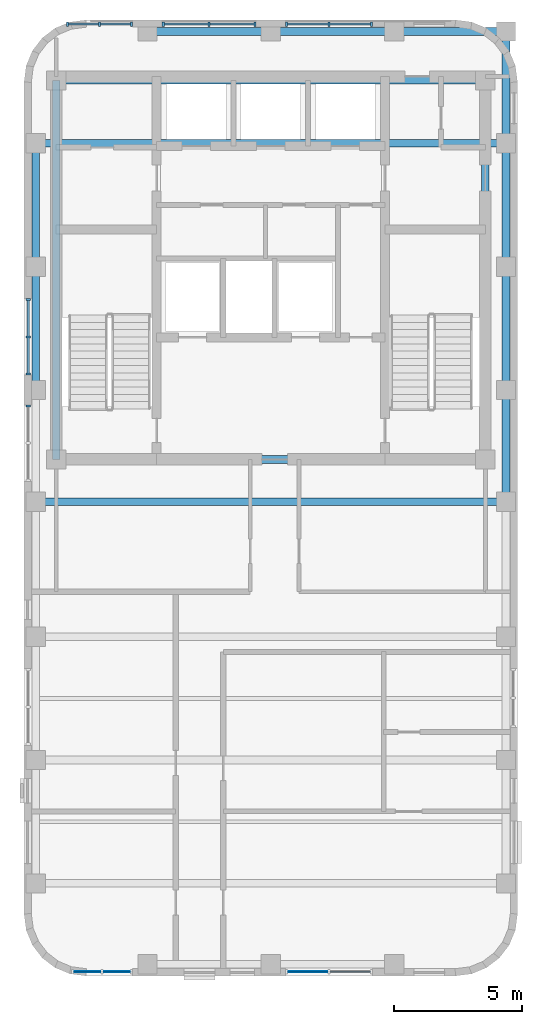
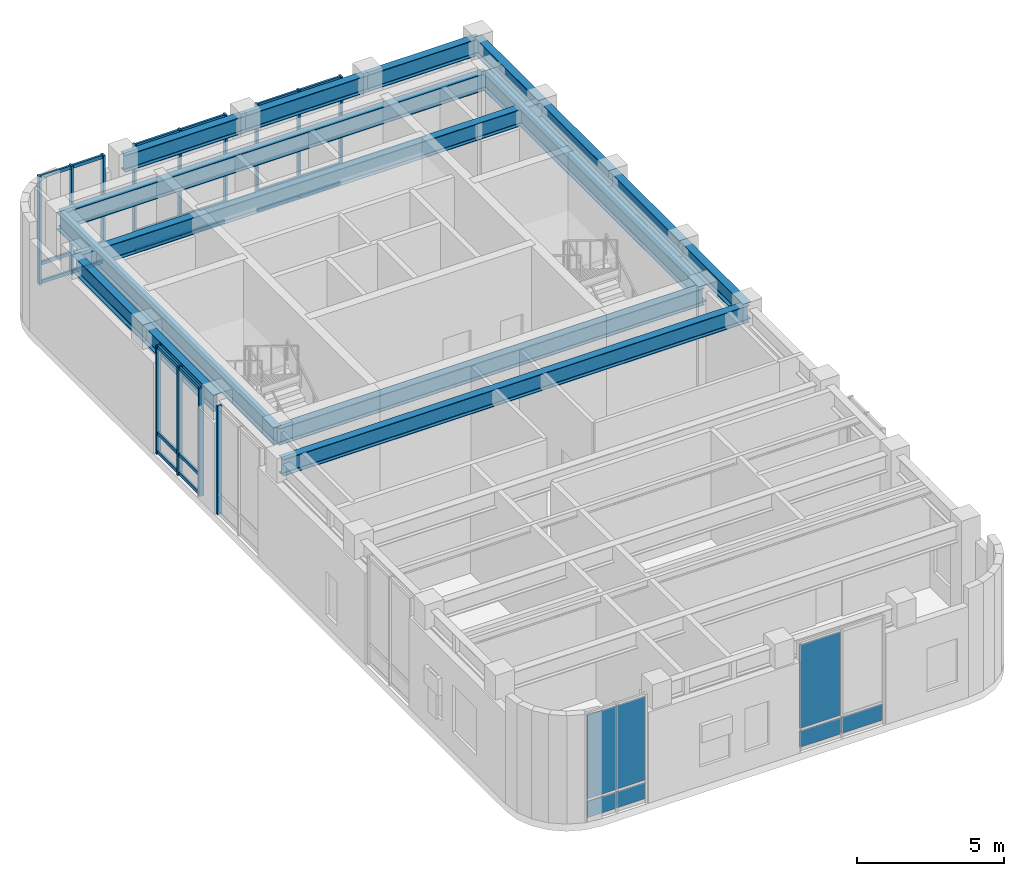
# One storey, part 2 of 8: 37 members, 15 beams, 7 plates, 7 elements without a shape of their own.
"""IFC4 building model written with IfcOpenShell, lengths in metres."""

import ifcopenshell
import ifcopenshell.guid

model = None  # the IFC model being written
_history = None  # IfcOwnerHistory: only IFC2X3 demands one
_inside = {}  # id of a spatial element -> (the spatial element, [elements in it])
_under = {}  # id of a project, library or spatial element -> (it, [spatial elements below it])
_declared = {}  # id of a project -> (the project, [libraries it declares])
_typed = {}  # id of a type object -> (the type object, [elements of that type])
_made_of = {}  # id of a material, layer set ... -> (it, [elements and type objects made of it])


def new_model(schema):
    """Start an empty IFC model of exactly this schema.

    Asked for "IFC4X3", IfcOpenShell would pick the latest addendum, in which some entities
    have other attributes; the version numbers below select the first issue.
    IFC2X3 requires an IfcOwnerHistory on every rooted entity: one is made here for all.
    """
    global model, _history
    if schema == "IFC4X3":
        model = ifcopenshell.file(schema_version=(4, 3, 0, 0))
    else:
        model = ifcopenshell.file(schema=schema)
    _inside.clear()
    _under.clear()
    _declared.clear()
    _typed.clear()
    _made_of.clear()
    _history = None
    if model.schema == "IFC2X3":
        org = make("IfcOrganization", Name="unknown")
        user = make(
            "IfcPersonAndOrganization",
            ThePerson=make("IfcPerson", FamilyName="unknown"),
            TheOrganization=org,
        )
        app = make(
            "IfcApplication",
            ApplicationDeveloper=org,
            Version="unknown",
            ApplicationFullName="unknown",
            ApplicationIdentifier="unknown",
        )
        _history = make(
            "IfcOwnerHistory",
            OwningUser=user,
            OwningApplication=app,
            ChangeAction="ADDED",
            CreationDate=0,
        )
    return model


def make(cls, **values):
    """One entity of the class cls with the attributes given. An attribute that is None is left unset."""
    return model.create_entity(
        cls, **{name: value for name, value in values.items() if value is not None}
    )


def rooted(cls, **values):
    """An entity with a GlobalId (a new one), such as an element, a storey or a relation."""
    return make(cls, GlobalId=ifcopenshell.guid.new(), OwnerHistory=_history, **values)


def si_unit(unit_type, name, prefix=None):
    """IfcSIUnit, for example si_unit("LENGTHUNIT", "METRE", prefix="MILLI")."""
    return make("IfcSIUnit", UnitType=unit_type, Prefix=prefix, Name=name)


def assignment(units):
    """IfcUnitAssignment: the units of a project."""
    return None if units is None else make("IfcUnitAssignment", Units=units)


def point(xyz):
    """IfcCartesianPoint."""
    return None if xyz is None else make("IfcCartesianPoint", Coordinates=xyz)


def direction(xyz):
    """IfcDirection."""
    return None if xyz is None else make("IfcDirection", DirectionRatios=xyz)


def frame(location, z_axis=None, x_axis=None):
    """IfcAxis2Placement3D, a coordinate frame: its origin and axes. An axis left out is left unset."""
    return make(
        "IfcAxis2Placement3D",
        Location=point(location),
        Axis=direction(z_axis),
        RefDirection=direction(x_axis),
    )


def frame_2d(location, x_axis=None):
    """IfcAxis2Placement2D, a coordinate frame in the plane: its origin and x axis."""
    return make(
        "IfcAxis2Placement2D", Location=point(location), RefDirection=direction(x_axis)
    )


def origin():
    """The frame at (0, 0, 0) with its axes left unset."""
    return frame((0.0, 0.0, 0.0))


def origin_2d():
    """The frame at (0, 0) in the plane with its x axis left unset."""
    return frame_2d((0.0, 0.0))


def place(relative_to, where):
    """IfcLocalPlacement: puts the frame where relative to a parent placement (None: the world)."""
    return make(
        "IfcLocalPlacement", PlacementRelTo=relative_to, RelativePlacement=where
    )


def context(
    kind, dimensions, precision=None, world=None, true_north=None, identifier=None
):
    """IfcGeometricRepresentationContext, for example the 3D "Model" context."""
    return make(
        "IfcGeometricRepresentationContext",
        ContextIdentifier=identifier,
        ContextType=kind,
        CoordinateSpaceDimension=dimensions,
        Precision=precision,
        WorldCoordinateSystem=world,
        TrueNorth=true_north,
    )


def subcontext(parent, identifier, kind, view, scale=None):
    """IfcGeometricRepresentationSubContext, for example "Body" below "Model"."""
    return make(
        "IfcGeometricRepresentationSubContext",
        ContextIdentifier=identifier,
        ContextType=kind,
        ParentContext=parent,
        TargetScale=scale,
        TargetView=view,
    )


def project(units=None, contexts=None):
    """IfcProject with its units and contexts."""
    return rooted(
        "IfcProject",
        Name="project",
        RepresentationContexts=contexts,
        UnitsInContext=assignment(units),
    )


def spatial(cls, under=None, at=None, **own):
    """A site, building, storey or space (cls), placed at a placement, below another one or the project."""
    s = rooted(cls, ObjectPlacement=at, **own)
    if under is not None:
        _under.setdefault(under.id(), (under, []))[1].append(s)
    return s


def profile(cls, at=None, kind="AREA", **sizes):
    """A parametric profile (cls). Its sizes go by their IFC names, for example OverallWidth=200.0."""
    return make(cls, ProfileType=kind, Position=at, **sizes)


def rectangle(**sizes):
    """IfcRectangleProfileDef."""
    return profile("IfcRectangleProfileDef", **sizes)


def i_section(**sizes):
    """IfcIShapeProfileDef."""
    return profile("IfcIShapeProfileDef", **sizes)


def extrude(swept, where, along, depth):
    """IfcExtrudedAreaSolid: the profile swept, set in the frame where, extruded along a direction by depth."""
    return make(
        "IfcExtrudedAreaSolid",
        SweptArea=swept,
        Position=where,
        ExtrudedDirection=direction(along),
        Depth=depth,
    )


def shape(context_of_items, identifier, shape_type, items):
    """IfcShapeRepresentation: the items that make up one representation, for example the "Body"."""
    return make(
        "IfcShapeRepresentation",
        ContextOfItems=context_of_items,
        RepresentationIdentifier=identifier,
        RepresentationType=shape_type,
        Items=items,
    )


def material(Name=None, Category=None):
    """IfcMaterial."""
    return make("IfcMaterial", Name=Name, Category=Category)


def layer(
    of_material, thickness, ventilated=None, Name=None, Category=None, Priority=None
):
    """IfcMaterialLayer: one layer of a wall or slab, of a material (None: an air gap)."""
    return make(
        "IfcMaterialLayer",
        Material=of_material,
        LayerThickness=thickness,
        IsVentilated=ventilated,
        Name=Name,
        Category=Category,
        Priority=Priority,
    )


def layer_set(layers, Name=None):
    """IfcMaterialLayerSet."""
    return make("IfcMaterialLayerSet", MaterialLayers=layers, LayerSetName=Name)


def material_profile(
    of_material, cross_section, Name=None, Category=None, Priority=None
):
    """IfcMaterialProfile: a cross section and its material."""
    return make(
        "IfcMaterialProfile",
        Name=Name,
        Material=of_material,
        Profile=cross_section,
        Priority=Priority,
        Category=Category,
    )


def profile_set(profiles, Name=None, composite=None):
    """IfcMaterialProfileSet."""
    return make(
        "IfcMaterialProfileSet",
        Name=Name,
        MaterialProfiles=profiles,
        CompositeProfile=composite,
    )


def made_of(thing, what):
    """Note that an element or type object is made of a material, layer set ...; save() writes the relation."""
    if what is not None:
        _made_of.setdefault(what.id(), (what, []))[1].append(thing)
    return thing


def type_object(cls, material=None, **own):
    """A type object (cls), such as IfcWallType, which elements share."""
    return made_of(rooted(cls, **own), material)


def element(
    cls,
    number,
    at=None,
    inside=None,
    cuts=None,
    type_object=None,
    material=None,
    context=None,
    identifier="Body",
    shape_type=None,
    held_by="IfcProductDefinitionShape",
    body=None,
    shapes=None,
    **own,
):
    """One element of the class cls, such as IfcWall. Its Tag is "e" and its number.

    at: its placement. inside: the storey or other place that contains it. cuts: it is an
    opening in that element (IfcRelVoidsElement). A single representation is given by context,
    identifier, shape_type and body (its items); several are given by shapes. held_by: the class
    of the entity that holds the representations. save() writes the other relations.
    """
    e = rooted(cls, Tag="e%d" % number, ObjectPlacement=at, **own)
    if body is not None:
        shapes = [shape(context, identifier, shape_type, body)]
    if shapes is not None:
        e.Representation = make(held_by, Representations=shapes)
    if inside is not None:
        _inside.setdefault(inside.id(), (inside, []))[1].append(e)
    if cuts is not None:
        rooted(
            "IfcRelVoidsElement", RelatingBuildingElement=cuts, RelatedOpeningElement=e
        )
    if type_object is not None:
        _typed.setdefault(type_object.id(), (type_object, []))[1].append(e)
    return made_of(e, material)


def aggregate(whole, parts):
    """IfcRelAggregates: a whole, such as a stair, and the parts it consists of."""
    return rooted("IfcRelAggregates", RelatingObject=whole, RelatedObjects=parts)


def save(model, path):
    """Write the relations noted so far, then the file.

    IfcRelAggregates (storeys below a building ...), IfcRelContainedInSpatialStructure (elements
    in a storey), IfcRelDefinesByType, IfcRelAssociatesMaterial and IfcRelDeclares: one each for
    every whole, place, type object, material and project.
    """
    for whole, parts in _under.values():
        aggregate(whole, parts)
    for where, things in _inside.values():
        rooted(
            "IfcRelContainedInSpatialStructure",
            RelatedElements=things,
            RelatingStructure=where,
        )
    for kind, things in _typed.values():
        rooted("IfcRelDefinesByType", RelatedObjects=things, RelatingType=kind)
    for what, things in _made_of.values():
        rooted("IfcRelAssociatesMaterial", RelatedObjects=things, RelatingMaterial=what)
    for by, libraries in _declared.values():
        rooted("IfcRelDeclares", RelatingContext=by, RelatedDefinitions=libraries)
    model.write(path)


model = new_model("IFC4")

# Units and contexts
model_context = context("Model", 3, precision=1e-05, world=origin(), true_north=direction((0.0, 1.0)))
body_context = subcontext(model_context, "Body", "Model", "MODEL_VIEW")
ifc_project = project(units=[si_unit("LENGTHUNIT", "METRE"), si_unit("AREAUNIT", "SQUARE_METRE"), si_unit("VOLUMEUNIT", "CUBIC_METRE"), si_unit("PLANEANGLEUNIT", "RADIAN"), si_unit("MASSUNIT", "GRAM", prefix="KILO")], contexts=[model_context])

# Site, building, storey
site_placement = place(None, origin())
site = spatial("IfcSite", under=ifc_project, at=site_placement, CompositionType="ELEMENT")
building_placement = place(site_placement, origin())
building = spatial("IfcBuilding", under=site, at=building_placement, Name="Orvandelia Arch Residences", CompositionType="ELEMENT")
storey_placement = place(building_placement, frame((0.0, 0.0, 291.39990234375)))
storey = spatial("IfcBuildingStorey", under=building, at=storey_placement, Name="L75", CompositionType="ELEMENT", Elevation=291.39990234375)

# Beams
ifc_material_1 = material(Name="Structural Steel SM355 (355 MPa)", Category="steel")
ifc_material_profile_1 = material_profile(ifc_material_1, i_section(OverallWidth=0.300048828125, OverallDepth=0.699951171875, WebThickness=0.012939453125, FlangeThickness=0.02392578125, FilletRadius=0.02392578125, at=origin_2d()), Name="Structural Steel SM355 (355 MPa)", Category="steel")
ifc_profile_set_1 = profile_set([ifc_material_profile_1], Name="Structural Steel SM355 (355 MPa)")
beam_type = type_object("IfcBeamType", Name="BM-GRD-H700", PredefinedType="BEAM", material=ifc_profile_set_1)
beam_1_placement = place(storey_placement, frame((5.25, 33.60009765625, 4.150146484375), z_axis=(0.0, 1.0, 0.0), x_axis=(-1.0, 0.0, 0.0)))
element("IfcBeam", 1, at=beam_1_placement, inside=storey, type_object=beam_type, Name="Structural Frame Beam L75-NS-005", PredefinedType="BEAM", context=body_context, shape_type="SweptSolid", body=[
    extrude(i_section(OverallWidth=0.300048828125, OverallDepth=0.699951171875, WebThickness=0.012939453125, FlangeThickness=0.02392578125, FilletRadius=0.02392578125, at=origin_2d()), origin(), (0.0, 0.0, 1.0), 4.7998046875),
])
beam_2_placement = place(storey_placement, frame((5.25, 38.39990234375, 4.150146484375), z_axis=(0.0, 1.0, 0.0), x_axis=(-1.0, 0.0, 0.0)))
element("IfcBeam", 2, at=beam_2_placement, inside=storey, type_object=beam_type, Name="Structural Frame Beam L75-NS-006", PredefinedType="BEAM", context=body_context, shape_type="SweptSolid", body=[
    extrude(i_section(OverallWidth=0.300048828125, OverallDepth=0.699951171875, WebThickness=0.012939453125, FlangeThickness=0.02392578125, FilletRadius=0.02392578125, at=origin_2d()), origin(), (0.0, 0.0, 1.0), 4.800048828125),
])
for number, where, z_axis, x_axis, name in (
    (3, (6.050048828125, 30.89990234375, 4.150146484375), (0.0, 1.0, 0.0), (-1.0, 0.0, 0.0), "Structural Frame Beam L75-NS-007"),
    (4, (22.75, 30.89990234375, 4.150146484375), (0.0, 1.0, 0.0), (-1.0, 0.0, 0.0), "Structural Frame Beam L75-NS-008"),
):
    element("IfcBeam", number, at=place(storey_placement, frame(where, z_axis=z_axis, x_axis=x_axis)), inside=storey, type_object=beam_type, Name=name, PredefinedType="BEAM", context=body_context, shape_type="SweptSolid", body=[
        extrude(i_section(OverallWidth=0.300048828125, OverallDepth=0.699951171875, WebThickness=0.012939453125, FlangeThickness=0.02392578125, FilletRadius=0.02392578125, at=origin_2d()), origin(), (0.0, 0.0, 1.0), 14.75),
    ])
beam_3_placement = place(storey_placement, frame((23.550048828125, 29.25, 4.150146484375), z_axis=(0.0, 1.0, 0.0), x_axis=(-1.0, 0.0, 0.0)))
element("IfcBeam", 5, at=beam_3_placement, inside=storey, type_object=beam_type, Name="Structural Frame Beam L75-NS-012", PredefinedType="BEAM", context=body_context, shape_type="SweptSolid", body=[
    extrude(i_section(OverallWidth=0.300048828125, OverallDepth=0.699951171875, WebThickness=0.012939453125, FlangeThickness=0.02392578125, FilletRadius=0.02392578125, at=origin_2d()), origin(), (0.0, 0.0, 1.0), 4.35009765625),
])
beam_4_placement = place(storey_placement, frame((23.550048828125, 33.60009765625, 4.150146484375), z_axis=(0.0, 1.0, 0.0), x_axis=(-1.0, 0.0, 0.0)))
element("IfcBeam", 6, at=beam_4_placement, inside=storey, type_object=beam_type, Name="Structural Frame Beam L75-NS-013", PredefinedType="BEAM", context=body_context, shape_type="SweptSolid", body=[
    extrude(i_section(OverallWidth=0.300048828125, OverallDepth=0.699951171875, WebThickness=0.012939453125, FlangeThickness=0.02392578125, FilletRadius=0.02392578125, at=origin_2d()), origin(), (0.0, 0.0, 1.0), 4.7998046875),
])
beam_5_placement = place(storey_placement, frame((23.550048828125, 38.39990234375, 4.150146484375), z_axis=(0.0, 1.0, 0.0), x_axis=(-1.0, 0.0, 0.0)))
element("IfcBeam", 7, at=beam_5_placement, inside=storey, type_object=beam_type, Name="Structural Frame Beam L75-NS-014", PredefinedType="BEAM", context=body_context, shape_type="SweptSolid", body=[
    extrude(i_section(OverallWidth=0.300048828125, OverallDepth=0.699951171875, WebThickness=0.012939453125, FlangeThickness=0.02392578125, FilletRadius=0.02392578125, at=origin_2d()), origin(), (0.0, 0.0, 1.0), 4.800048828125),
])
beam_6_placement = place(storey_placement, frame((23.550048828125, 43.199951171875, 4.150146484375), z_axis=(0.0, 1.0, 0.0), x_axis=(-1.0, 0.0, 0.0)))
element("IfcBeam", 8, at=beam_6_placement, inside=storey, type_object=beam_type, Name="Structural Frame Beam L75-NS-015", PredefinedType="BEAM", context=body_context, shape_type="SweptSolid", body=[
    extrude(i_section(OverallWidth=0.300048828125, OverallDepth=0.699951171875, WebThickness=0.012939453125, FlangeThickness=0.02392578125, FilletRadius=0.02392578125, at=origin_2d()), origin(), (0.0, 0.0, 1.0), 4.35009765625),
])
beam_7_placement = place(storey_placement, frame((5.25, 29.25, 4.150146484375), z_axis=(1.0, 0.0, 0.0), x_axis=(0.0, 1.0, 0.0)))
element("IfcBeam", 9, at=beam_7_placement, inside=storey, type_object=beam_type, Name="Structural Frame Girder L75-EW-021", PredefinedType="BEAM", context=body_context, shape_type="SweptSolid", body=[
    extrude(i_section(OverallWidth=0.300048828125, OverallDepth=0.699951171875, WebThickness=0.012939453125, FlangeThickness=0.02392578125, FilletRadius=0.02392578125, at=origin_2d()), origin(), (0.0, 0.0, 1.0), 18.300048828125),
])
beam_8_placement = place(storey_placement, frame((6.050048828125, 30.89990234375, 4.150146484375), z_axis=(1.0, 0.0, 0.0), x_axis=(0.0, 1.0, 0.0)))
element("IfcBeam", 10, at=beam_8_placement, inside=storey, type_object=beam_type, Name="Structural Frame Girder L75-EW-022", PredefinedType="BEAM", context=body_context, shape_type="SweptSolid", body=[
    extrude(i_section(OverallWidth=0.300048828125, OverallDepth=0.699951171875, WebThickness=0.012939453125, FlangeThickness=0.02392578125, FilletRadius=0.02392578125, at=origin_2d()), origin(), (0.0, 0.0, 1.0), 16.699951171875),
])
beam_9_placement = place(storey_placement, frame((5.25, 43.199951171875, 4.150146484375), z_axis=(1.0, 0.0, 0.0), x_axis=(0.0, 1.0, 0.0)))
element("IfcBeam", 11, at=beam_9_placement, inside=storey, type_object=beam_type, Name="Structural Frame Girder L75-EW-025", PredefinedType="BEAM", context=body_context, shape_type="SweptSolid", body=[
    extrude(i_section(OverallWidth=0.300048828125, OverallDepth=0.699951171875, WebThickness=0.012939453125, FlangeThickness=0.02392578125, FilletRadius=0.02392578125, at=origin_2d()), origin(), (0.0, 0.0, 1.0), 18.300048828125),
])
beam_10_placement = place(storey_placement, frame((6.050048828125, 45.64990234375, 4.150146484375), z_axis=(1.0, 0.0, 0.0), x_axis=(0.0, 1.0, 0.0)))
element("IfcBeam", 12, at=beam_10_placement, inside=storey, type_object=beam_type, Name="Structural Frame Girder L75-EW-026", PredefinedType="BEAM", context=body_context, shape_type="SweptSolid", body=[
    extrude(i_section(OverallWidth=0.300048828125, OverallDepth=0.699951171875, WebThickness=0.012939453125, FlangeThickness=0.02392578125, FilletRadius=0.02392578125, at=origin_2d()), origin(), (0.0, 0.0, 1.0), 16.699951171875),
])
beam_11_placement = place(storey_placement, frame((9.60009765625, 47.550048828125, 4.150146484375), z_axis=(1.0, 0.0, 0.0), x_axis=(0.0, 1.0, 0.0)))
element("IfcBeam", 13, at=beam_11_placement, inside=storey, type_object=beam_type, Name="Structural Frame Girder L75-EW-027", PredefinedType="BEAM", context=body_context, shape_type="SweptSolid", body=[
    extrude(i_section(OverallWidth=0.300048828125, OverallDepth=0.699951171875, WebThickness=0.012939453125, FlangeThickness=0.02392578125, FilletRadius=0.02392578125, at=origin_2d()), origin(), (0.0, 0.0, 1.0), 4.7998046875),
])
beam_12_placement = place(storey_placement, frame((14.39990234375, 47.550048828125, 4.150146484375), z_axis=(1.0, 0.0, 0.0), x_axis=(0.0, 1.0, 0.0)))
element("IfcBeam", 14, at=beam_12_placement, inside=storey, type_object=beam_type, Name="Structural Frame Girder L75-EW-028", PredefinedType="BEAM", context=body_context, shape_type="SweptSolid", body=[
    extrude(i_section(OverallWidth=0.300048828125, OverallDepth=0.699951171875, WebThickness=0.012939453125, FlangeThickness=0.02392578125, FilletRadius=0.02392578125, at=origin_2d()), origin(), (0.0, 0.0, 1.0), 4.800048828125),
])
beam_13_placement = place(storey_placement, frame((19.199951171875, 47.550048828125, 4.150146484375), z_axis=(1.0, 0.0, 0.0), x_axis=(0.0, 1.0, 0.0)))
element("IfcBeam", 15, at=beam_13_placement, inside=storey, type_object=beam_type, Name="Structural Frame Girder L75-EW-029", PredefinedType="BEAM", context=body_context, shape_type="SweptSolid", body=[
    extrude(i_section(OverallWidth=0.300048828125, OverallDepth=0.699951171875, WebThickness=0.012939453125, FlangeThickness=0.02392578125, FilletRadius=0.02392578125, at=origin_2d()), origin(), (0.0, 0.0, 1.0), 4.35009765625),
])

# Curtain wall, members
ifc_material_2 = material(Name="Anodised Bronze Curtain Wall Assembly")
curtain_wall_type = type_object("IfcCurtainWallType", Name="CW-SYS6-OBSERV", PredefinedType="NOTDEFINED", material=ifc_material_2)
curtain_wall_1_placement = place(storey_placement, origin())
curtain_wall_1 = element("IfcCurtainWall", 16, at=curtain_wall_1_placement, inside=storey, type_object=curtain_wall_type, Name="Observatory North Curtain Wall 5", PredefinedType="NOTDEFINED")
ifc_material_3 = material(Name="Anodised Aluminium Alloy 6063-T6", Category="aluminium")
ifc_material_profile_2 = material_profile(ifc_material_3, rectangle(XDim=0.080078125, YDim=0.179931640625, at=origin_2d()), Name="Anodised Aluminium Alloy 6063-T6", Category="aluminium")
ifc_profile_set_2 = profile_set([ifc_material_profile_2], Name="Anodised Aluminium Alloy 6063-T6")
member_type_1 = type_object("IfcMemberType", Name="CW-MULLION-80x160", PredefinedType="MULLION", material=ifc_profile_set_2)
member_1_placement = place(storey_placement, frame((6.47998046875, 47.840087890625, 0.0), z_axis=(0.0, 0.0, 1.0), x_axis=(1.0, 0.0, 0.0)))
member_1 = element("IfcMember", 17, at=member_1_placement, type_object=member_type_1, Name="Curtain Wall Mullion CW-L75-5-M1", PredefinedType="MULLION", context=body_context, shape_type="SweptSolid", body=[
    extrude(rectangle(XDim=0.080078125, YDim=0.179931640625, at=origin_2d()), origin(), (0.0, 0.0, 1.0), 4.5),
])
member_2_placement = place(storey_placement, frame((7.732421875, 47.840087890625, 0.0), z_axis=(0.0, 0.0, 1.0), x_axis=(1.0, 0.0, 0.0)))
member_2 = element("IfcMember", 18, at=member_2_placement, type_object=member_type_1, Name="Curtain Wall Mullion CW-L75-5-M2", PredefinedType="MULLION", context=body_context, shape_type="SweptSolid", body=[
    extrude(rectangle(XDim=0.080078125, YDim=0.179931640625, at=origin_2d()), origin(), (0.0, 0.0, 1.0), 4.5),
])
member_3_placement = place(storey_placement, frame((8.985107421875, 47.840087890625, 0.0), z_axis=(0.0, 0.0, 1.0), x_axis=(1.0, 0.0, 0.0)))
member_3 = element("IfcMember", 19, at=member_3_placement, type_object=member_type_1, Name="Curtain Wall Mullion CW-L75-5-M3", PredefinedType="MULLION", context=body_context, shape_type="SweptSolid", body=[
    extrude(rectangle(XDim=0.080078125, YDim=0.179931640625, at=origin_2d()), origin(), (0.0, 0.0, 1.0), 4.5),
])

curtain_wall_2_placement = place(storey_placement, origin())
curtain_wall_2 = element("IfcCurtainWall", 20, at=curtain_wall_2_placement, inside=storey, type_object=curtain_wall_type, Name="Observatory North Curtain Wall 6", PredefinedType="NOTDEFINED")
member_4_placement = place(storey_placement, frame((10.215087890625, 47.840087890625, 0.0), z_axis=(0.0, 0.0, 1.0), x_axis=(1.0, 0.0, 0.0)))
member_4 = element("IfcMember", 21, at=member_4_placement, type_object=member_type_1, Name="Curtain Wall Mullion CW-L75-6-M1", PredefinedType="MULLION", context=body_context, shape_type="SweptSolid", body=[
    extrude(rectangle(XDim=0.080078125, YDim=0.179931640625, at=origin_2d()), origin(), (0.0, 0.0, 1.0), 4.5),
])
member_5_placement = place(storey_placement, frame((12.0, 47.840087890625, 0.0), z_axis=(0.0, 0.0, 1.0), x_axis=(1.0, 0.0, 0.0)))
member_5 = element("IfcMember", 22, at=member_5_placement, type_object=member_type_1, Name="Curtain Wall Mullion CW-L75-6-M2", PredefinedType="MULLION", context=body_context, shape_type="SweptSolid", body=[
    extrude(rectangle(XDim=0.080078125, YDim=0.179931640625, at=origin_2d()), origin(), (0.0, 0.0, 1.0), 4.5),
])
member_6_placement = place(storey_placement, frame((13.784912109375, 47.840087890625, 0.0), z_axis=(0.0, 0.0, 1.0), x_axis=(1.0, 0.0, 0.0)))
member_6 = element("IfcMember", 23, at=member_6_placement, type_object=member_type_1, Name="Curtain Wall Mullion CW-L75-6-M3", PredefinedType="MULLION", context=body_context, shape_type="SweptSolid", body=[
    extrude(rectangle(XDim=0.080078125, YDim=0.179931640625, at=origin_2d()), origin(), (0.0, 0.0, 1.0), 4.5),
])

curtain_wall_3_placement = place(storey_placement, origin())
curtain_wall_3 = element("IfcCurtainWall", 24, at=curtain_wall_3_placement, inside=storey, type_object=curtain_wall_type, Name="Observatory North Curtain Wall 7", PredefinedType="NOTDEFINED")
member_7_placement = place(storey_placement, frame((15.014892578125, 47.840087890625, 0.0), z_axis=(0.0, 0.0, 1.0), x_axis=(1.0, 0.0, 0.0)))
member_7 = element("IfcMember", 25, at=member_7_placement, type_object=member_type_1, Name="Curtain Wall Mullion CW-L75-7-M1", PredefinedType="MULLION", context=body_context, shape_type="SweptSolid", body=[
    extrude(rectangle(XDim=0.080078125, YDim=0.179931640625, at=origin_2d()), origin(), (0.0, 0.0, 1.0), 4.5),
])
member_8_placement = place(storey_placement, frame((16.66748046875, 47.840087890625, 0.0), z_axis=(0.0, 0.0, 1.0), x_axis=(1.0, 0.0, 0.0)))
member_8 = element("IfcMember", 26, at=member_8_placement, type_object=member_type_1, Name="Curtain Wall Mullion CW-L75-7-M2", PredefinedType="MULLION", context=body_context, shape_type="SweptSolid", body=[
    extrude(rectangle(XDim=0.080078125, YDim=0.179931640625, at=origin_2d()), origin(), (0.0, 0.0, 1.0), 4.5),
])
member_9_placement = place(storey_placement, frame((18.320068359375, 47.840087890625, 0.0), z_axis=(0.0, 0.0, 1.0), x_axis=(1.0, 0.0, 0.0)))
member_9 = element("IfcMember", 27, at=member_9_placement, type_object=member_type_1, Name="Curtain Wall Mullion CW-L75-7-M3", PredefinedType="MULLION", context=body_context, shape_type="SweptSolid", body=[
    extrude(rectangle(XDim=0.080078125, YDim=0.179931640625, at=origin_2d()), origin(), (0.0, 0.0, 1.0), 4.5),
])

# Curtain wall, member
curtain_wall_4_placement = place(storey_placement, origin())
curtain_wall_4 = element("IfcCurtainWall", 28, at=curtain_wall_4_placement, inside=storey, type_object=curtain_wall_type, Name="Observatory Upper West Curtain Wall 8", PredefinedType="NOTDEFINED")
member_10_placement = place(storey_placement, frame((4.9599609375, 32.985107421875, 0.0), z_axis=(0.0, 0.0, 1.0), x_axis=(0.0, 1.0, 0.0)))
member_10 = element("IfcMember", 29, at=member_10_placement, type_object=member_type_1, Name="Curtain Wall Mullion CW-L75-8-M3", PredefinedType="MULLION", context=body_context, shape_type="SweptSolid", body=[
    extrude(rectangle(XDim=0.080078125, YDim=0.179931640625, at=origin_2d()), origin(), (0.0, 0.0, 1.0), 4.5),
])
aggregate(curtain_wall_4, [member_10])

# Curtain wall, members
curtain_wall_5_placement = place(storey_placement, origin())
curtain_wall_5 = element("IfcCurtainWall", 30, at=curtain_wall_5_placement, inside=storey, type_object=curtain_wall_type, Name="Observatory Upper West Curtain Wall 9", PredefinedType="NOTDEFINED")
member_11_placement = place(storey_placement, frame((4.9599609375, 34.215087890625, 0.0), z_axis=(0.0, 0.0, 1.0), x_axis=(0.0, 1.0, 0.0)))
member_11 = element("IfcMember", 31, at=member_11_placement, type_object=member_type_1, Name="Curtain Wall Mullion CW-L75-9-M1", PredefinedType="MULLION", context=body_context, shape_type="SweptSolid", body=[
    extrude(rectangle(XDim=0.080078125, YDim=0.179931640625, at=origin_2d()), origin(), (0.0, 0.0, 1.0), 4.5),
])
member_12_placement = place(storey_placement, frame((4.9599609375, 35.66748046875, 0.0), z_axis=(0.0, 0.0, 1.0), x_axis=(0.0, 1.0, 0.0)))
member_12 = element("IfcMember", 32, at=member_12_placement, type_object=member_type_1, Name="Curtain Wall Mullion CW-L75-9-M2", PredefinedType="MULLION", context=body_context, shape_type="SweptSolid", body=[
    extrude(rectangle(XDim=0.080078125, YDim=0.179931640625, at=origin_2d()), origin(), (0.0, 0.0, 1.0), 4.5),
])
member_13_placement = place(storey_placement, frame((4.9599609375, 37.1201171875, 0.0), z_axis=(0.0, 0.0, 1.0), x_axis=(0.0, 1.0, 0.0)))
member_13 = element("IfcMember", 33, at=member_13_placement, type_object=member_type_1, Name="Curtain Wall Mullion CW-L75-9-M3", PredefinedType="MULLION", context=body_context, shape_type="SweptSolid", body=[
    extrude(rectangle(XDim=0.080078125, YDim=0.179931640625, at=origin_2d()), origin(), (0.0, 0.0, 1.0), 4.5),
])

# Member
ifc_material_profile_3 = material_profile(ifc_material_3, rectangle(XDim=0.080078125, YDim=0.139892578125, at=origin_2d()), Name="Anodised Aluminium Alloy 6063-T6", Category="aluminium")
ifc_profile_set_3 = profile_set([ifc_material_profile_3], Name="Anodised Aluminium Alloy 6063-T6")
member_type_2 = type_object("IfcMemberType", Name="CW-TRANSOM-80x140", PredefinedType="USERDEFINED", material=ifc_profile_set_3)
member_14_placement = place(storey_placement, frame((6.5048828125, 47.840087890625, 0.070068359375), z_axis=(1.0, 0.0, 0.0), x_axis=(0.0, 1.0, 0.0)))
member_14 = element("IfcMember", 34, at=member_14_placement, type_object=member_type_2, Name="Curtain Wall Transom CW-L75-5-T1-1", ObjectType="TRANSOM", PredefinedType="USERDEFINED", context=body_context, shape_type="SweptSolid", body=[
    extrude(rectangle(XDim=0.080078125, YDim=0.139892578125, at=origin_2d()), origin(), (0.0, 0.0, 1.0), 1.20263671875),
])

member_15_placement = place(storey_placement, frame((6.5048828125, 47.840087890625, 0.85009765625), z_axis=(1.0, 0.0, 0.0), x_axis=(0.0, 1.0, 0.0)))
member_15 = element("IfcMember", 35, at=member_15_placement, type_object=member_type_2, Name="Curtain Wall Transom CW-L75-5-T1-2", ObjectType="TRANSOM", PredefinedType="USERDEFINED", context=body_context, shape_type="SweptSolid", body=[
    extrude(rectangle(XDim=0.080078125, YDim=0.139892578125, at=origin_2d()), origin(), (0.0, 0.0, 1.0), 1.20263671875),
])

member_16_placement = place(storey_placement, frame((6.5048828125, 47.840087890625, 4.43017578125), z_axis=(1.0, 0.0, 0.0), x_axis=(0.0, 1.0, 0.0)))
member_16 = element("IfcMember", 36, at=member_16_placement, type_object=member_type_2, Name="Curtain Wall Transom CW-L75-5-T1-3", ObjectType="TRANSOM", PredefinedType="USERDEFINED", context=body_context, shape_type="SweptSolid", body=[
    extrude(rectangle(XDim=0.080078125, YDim=0.139892578125, at=origin_2d()), origin(), (0.0, 0.0, 1.0), 1.20263671875),
])

member_17_placement = place(storey_placement, frame((7.757568359375, 47.840087890625, 0.070068359375), z_axis=(1.0, 0.0, 0.0), x_axis=(0.0, 1.0, 0.0)))
member_17 = element("IfcMember", 37, at=member_17_placement, type_object=member_type_2, Name="Curtain Wall Transom CW-L75-5-T2-1", ObjectType="TRANSOM", PredefinedType="USERDEFINED", context=body_context, shape_type="SweptSolid", body=[
    extrude(rectangle(XDim=0.080078125, YDim=0.139892578125, at=origin_2d()), origin(), (0.0, 0.0, 1.0), 1.202392578125),
])

member_18_placement = place(storey_placement, frame((7.757568359375, 47.840087890625, 0.85009765625), z_axis=(1.0, 0.0, 0.0), x_axis=(0.0, 1.0, 0.0)))
member_18 = element("IfcMember", 38, at=member_18_placement, type_object=member_type_2, Name="Curtain Wall Transom CW-L75-5-T2-2", ObjectType="TRANSOM", PredefinedType="USERDEFINED", context=body_context, shape_type="SweptSolid", body=[
    extrude(rectangle(XDim=0.080078125, YDim=0.139892578125, at=origin_2d()), origin(), (0.0, 0.0, 1.0), 1.202392578125),
])

member_19_placement = place(storey_placement, frame((7.757568359375, 47.840087890625, 4.43017578125), z_axis=(1.0, 0.0, 0.0), x_axis=(0.0, 1.0, 0.0)))
member_19 = element("IfcMember", 39, at=member_19_placement, type_object=member_type_2, Name="Curtain Wall Transom CW-L75-5-T2-3", ObjectType="TRANSOM", PredefinedType="USERDEFINED", context=body_context, shape_type="SweptSolid", body=[
    extrude(rectangle(XDim=0.080078125, YDim=0.139892578125, at=origin_2d()), origin(), (0.0, 0.0, 1.0), 1.202392578125),
])

aggregate(curtain_wall_1, [member_1, member_2, member_3, member_14, member_15, member_16, member_17, member_18, member_19])

member_20_placement = place(storey_placement, frame((10.239990234375, 47.840087890625, 0.070068359375), z_axis=(1.0, 0.0, 0.0), x_axis=(0.0, 1.0, 0.0)))
member_20 = element("IfcMember", 40, at=member_20_placement, type_object=member_type_2, Name="Curtain Wall Transom CW-L75-6-T1-1", ObjectType="TRANSOM", PredefinedType="USERDEFINED", context=body_context, shape_type="SweptSolid", body=[
    extrude(rectangle(XDim=0.080078125, YDim=0.139892578125, at=origin_2d()), origin(), (0.0, 0.0, 1.0), 1.735107421875),
])

member_21_placement = place(storey_placement, frame((10.239990234375, 47.840087890625, 0.85009765625), z_axis=(1.0, 0.0, 0.0), x_axis=(0.0, 1.0, 0.0)))
member_21 = element("IfcMember", 41, at=member_21_placement, type_object=member_type_2, Name="Curtain Wall Transom CW-L75-6-T1-2", ObjectType="TRANSOM", PredefinedType="USERDEFINED", context=body_context, shape_type="SweptSolid", body=[
    extrude(rectangle(XDim=0.080078125, YDim=0.139892578125, at=origin_2d()), origin(), (0.0, 0.0, 1.0), 1.735107421875),
])

member_22_placement = place(storey_placement, frame((10.239990234375, 47.840087890625, 4.43017578125), z_axis=(1.0, 0.0, 0.0), x_axis=(0.0, 1.0, 0.0)))
member_22 = element("IfcMember", 42, at=member_22_placement, type_object=member_type_2, Name="Curtain Wall Transom CW-L75-6-T1-3", ObjectType="TRANSOM", PredefinedType="USERDEFINED", context=body_context, shape_type="SweptSolid", body=[
    extrude(rectangle(XDim=0.080078125, YDim=0.139892578125, at=origin_2d()), origin(), (0.0, 0.0, 1.0), 1.735107421875),
])

member_23_placement = place(storey_placement, frame((12.02490234375, 47.840087890625, 0.070068359375), z_axis=(1.0, 0.0, 0.0), x_axis=(0.0, 1.0, 0.0)))
member_23 = element("IfcMember", 43, at=member_23_placement, type_object=member_type_2, Name="Curtain Wall Transom CW-L75-6-T2-1", ObjectType="TRANSOM", PredefinedType="USERDEFINED", context=body_context, shape_type="SweptSolid", body=[
    extrude(rectangle(XDim=0.080078125, YDim=0.139892578125, at=origin_2d()), origin(), (0.0, 0.0, 1.0), 1.735107421875),
])

member_24_placement = place(storey_placement, frame((12.02490234375, 47.840087890625, 0.85009765625), z_axis=(1.0, 0.0, 0.0), x_axis=(0.0, 1.0, 0.0)))
member_24 = element("IfcMember", 44, at=member_24_placement, type_object=member_type_2, Name="Curtain Wall Transom CW-L75-6-T2-2", ObjectType="TRANSOM", PredefinedType="USERDEFINED", context=body_context, shape_type="SweptSolid", body=[
    extrude(rectangle(XDim=0.080078125, YDim=0.139892578125, at=origin_2d()), origin(), (0.0, 0.0, 1.0), 1.735107421875),
])

member_25_placement = place(storey_placement, frame((12.02490234375, 47.840087890625, 4.43017578125), z_axis=(1.0, 0.0, 0.0), x_axis=(0.0, 1.0, 0.0)))
member_25 = element("IfcMember", 45, at=member_25_placement, type_object=member_type_2, Name="Curtain Wall Transom CW-L75-6-T2-3", ObjectType="TRANSOM", PredefinedType="USERDEFINED", context=body_context, shape_type="SweptSolid", body=[
    extrude(rectangle(XDim=0.080078125, YDim=0.139892578125, at=origin_2d()), origin(), (0.0, 0.0, 1.0), 1.735107421875),
])

aggregate(curtain_wall_2, [member_4, member_5, member_6, member_20, member_21, member_22, member_23, member_24, member_25])

member_26_placement = place(storey_placement, frame((15.0400390625, 47.840087890625, 0.070068359375), z_axis=(1.0, 0.0, 0.0), x_axis=(0.0, 1.0, 0.0)))
member_26 = element("IfcMember", 46, at=member_26_placement, type_object=member_type_2, Name="Curtain Wall Transom CW-L75-7-T1-1", ObjectType="TRANSOM", PredefinedType="USERDEFINED", context=body_context, shape_type="SweptSolid", body=[
    extrude(rectangle(XDim=0.080078125, YDim=0.139892578125, at=origin_2d()), origin(), (0.0, 0.0, 1.0), 1.6025390625),
])

member_27_placement = place(storey_placement, frame((15.0400390625, 47.840087890625, 0.85009765625), z_axis=(1.0, 0.0, 0.0), x_axis=(0.0, 1.0, 0.0)))
member_27 = element("IfcMember", 47, at=member_27_placement, type_object=member_type_2, Name="Curtain Wall Transom CW-L75-7-T1-2", ObjectType="TRANSOM", PredefinedType="USERDEFINED", context=body_context, shape_type="SweptSolid", body=[
    extrude(rectangle(XDim=0.080078125, YDim=0.139892578125, at=origin_2d()), origin(), (0.0, 0.0, 1.0), 1.6025390625),
])

member_28_placement = place(storey_placement, frame((15.0400390625, 47.840087890625, 4.43017578125), z_axis=(1.0, 0.0, 0.0), x_axis=(0.0, 1.0, 0.0)))
member_28 = element("IfcMember", 48, at=member_28_placement, type_object=member_type_2, Name="Curtain Wall Transom CW-L75-7-T1-3", ObjectType="TRANSOM", PredefinedType="USERDEFINED", context=body_context, shape_type="SweptSolid", body=[
    extrude(rectangle(XDim=0.080078125, YDim=0.139892578125, at=origin_2d()), origin(), (0.0, 0.0, 1.0), 1.6025390625),
])

member_29_placement = place(storey_placement, frame((16.6923828125, 47.840087890625, 0.070068359375), z_axis=(1.0, 0.0, 0.0), x_axis=(0.0, 1.0, 0.0)))
member_29 = element("IfcMember", 49, at=member_29_placement, type_object=member_type_2, Name="Curtain Wall Transom CW-L75-7-T2-1", ObjectType="TRANSOM", PredefinedType="USERDEFINED", context=body_context, shape_type="SweptSolid", body=[
    extrude(rectangle(XDim=0.080078125, YDim=0.139892578125, at=origin_2d()), origin(), (0.0, 0.0, 1.0), 1.6025390625),
])

member_30_placement = place(storey_placement, frame((16.6923828125, 47.840087890625, 0.85009765625), z_axis=(1.0, 0.0, 0.0), x_axis=(0.0, 1.0, 0.0)))
member_30 = element("IfcMember", 50, at=member_30_placement, type_object=member_type_2, Name="Curtain Wall Transom CW-L75-7-T2-2", ObjectType="TRANSOM", PredefinedType="USERDEFINED", context=body_context, shape_type="SweptSolid", body=[
    extrude(rectangle(XDim=0.080078125, YDim=0.139892578125, at=origin_2d()), origin(), (0.0, 0.0, 1.0), 1.6025390625),
])

member_31_placement = place(storey_placement, frame((16.6923828125, 47.840087890625, 4.43017578125), z_axis=(1.0, 0.0, 0.0), x_axis=(0.0, 1.0, 0.0)))
member_31 = element("IfcMember", 51, at=member_31_placement, type_object=member_type_2, Name="Curtain Wall Transom CW-L75-7-T2-3", ObjectType="TRANSOM", PredefinedType="USERDEFINED", context=body_context, shape_type="SweptSolid", body=[
    extrude(rectangle(XDim=0.080078125, YDim=0.139892578125, at=origin_2d()), origin(), (0.0, 0.0, 1.0), 1.6025390625),
])

aggregate(curtain_wall_3, [member_7, member_8, member_9, member_26, member_27, member_28, member_29, member_30, member_31])

member_32_placement = place(storey_placement, frame((4.9599609375, 34.239990234375, 0.070068359375), z_axis=(0.0, 1.0, 0.0), x_axis=(-1.0, 0.0, 0.0)))
member_32 = element("IfcMember", 52, at=member_32_placement, type_object=member_type_2, Name="Curtain Wall Transom CW-L75-9-T1-1", ObjectType="TRANSOM", PredefinedType="USERDEFINED", context=body_context, shape_type="SweptSolid", body=[
    extrude(rectangle(XDim=0.080078125, YDim=0.139892578125, at=origin_2d()), origin(), (0.0, 0.0, 1.0), 1.402587890625),
])

member_33_placement = place(storey_placement, frame((4.9599609375, 34.239990234375, 0.85009765625), z_axis=(0.0, 1.0, 0.0), x_axis=(-1.0, 0.0, 0.0)))
member_33 = element("IfcMember", 53, at=member_33_placement, type_object=member_type_2, Name="Curtain Wall Transom CW-L75-9-T1-2", ObjectType="TRANSOM", PredefinedType="USERDEFINED", context=body_context, shape_type="SweptSolid", body=[
    extrude(rectangle(XDim=0.080078125, YDim=0.139892578125, at=origin_2d()), origin(), (0.0, 0.0, 1.0), 1.402587890625),
])

member_34_placement = place(storey_placement, frame((4.9599609375, 34.239990234375, 4.43017578125), z_axis=(0.0, 1.0, 0.0), x_axis=(-1.0, 0.0, 0.0)))
member_34 = element("IfcMember", 54, at=member_34_placement, type_object=member_type_2, Name="Curtain Wall Transom CW-L75-9-T1-3", ObjectType="TRANSOM", PredefinedType="USERDEFINED", context=body_context, shape_type="SweptSolid", body=[
    extrude(rectangle(XDim=0.080078125, YDim=0.139892578125, at=origin_2d()), origin(), (0.0, 0.0, 1.0), 1.402587890625),
])

member_35_placement = place(storey_placement, frame((4.9599609375, 35.6923828125, 0.070068359375), z_axis=(0.0, 1.0, 0.0), x_axis=(-1.0, 0.0, 0.0)))
member_35 = element("IfcMember", 55, at=member_35_placement, type_object=member_type_2, Name="Curtain Wall Transom CW-L75-9-T2-1", ObjectType="TRANSOM", PredefinedType="USERDEFINED", context=body_context, shape_type="SweptSolid", body=[
    extrude(rectangle(XDim=0.080078125, YDim=0.139892578125, at=origin_2d()), origin(), (0.0, 0.0, 1.0), 1.402587890625),
])

member_36_placement = place(storey_placement, frame((4.9599609375, 35.6923828125, 0.85009765625), z_axis=(0.0, 1.0, 0.0), x_axis=(-1.0, 0.0, 0.0)))
member_36 = element("IfcMember", 56, at=member_36_placement, type_object=member_type_2, Name="Curtain Wall Transom CW-L75-9-T2-2", ObjectType="TRANSOM", PredefinedType="USERDEFINED", context=body_context, shape_type="SweptSolid", body=[
    extrude(rectangle(XDim=0.080078125, YDim=0.139892578125, at=origin_2d()), origin(), (0.0, 0.0, 1.0), 1.402587890625),
])

member_37_placement = place(storey_placement, frame((4.9599609375, 35.6923828125, 4.43017578125), z_axis=(0.0, 1.0, 0.0), x_axis=(-1.0, 0.0, 0.0)))
member_37 = element("IfcMember", 57, at=member_37_placement, type_object=member_type_2, Name="Curtain Wall Transom CW-L75-9-T2-3", ObjectType="TRANSOM", PredefinedType="USERDEFINED", context=body_context, shape_type="SweptSolid", body=[
    extrude(rectangle(XDim=0.080078125, YDim=0.139892578125, at=origin_2d()), origin(), (0.0, 0.0, 1.0), 1.402587890625),
])

aggregate(curtain_wall_5, [member_11, member_12, member_13, member_32, member_33, member_34, member_35, member_36, member_37])

# Curtain wall, plates
curtain_wall_6_placement = place(storey_placement, origin())
curtain_wall_6 = element("IfcCurtainWall", 58, at=curtain_wall_6_placement, inside=storey, type_object=curtain_wall_type, Name="Observatory South Curtain Wall 1", PredefinedType="NOTDEFINED")
ifc_material_4 = material(Name="Insulated Bronze Aluminium Spandrel Panel", Category="aluminium")
ifc_layer_1 = layer(ifc_material_4, 0.0400390625, Name="Insulated Bronze Aluminium Spandrel Panel", Category="aluminium")
ifc_layer_set_1 = layer_set([ifc_layer_1], Name="Insulated Bronze Aluminium Spandrel Panel")
plate_type_1 = type_object("IfcPlateType", Name="CW-PANEL-SPANDREL", PredefinedType="SHEET", material=ifc_layer_set_1)
plate_1_placement = place(storey_placement, frame((7.256103515625, 10.9599609375, 0.125244140625), z_axis=(0.0, 0.0, 1.0), x_axis=(1.0, 0.0, 0.0)))
plate_1 = element("IfcPlate", 59, at=plate_1_placement, type_object=plate_type_1, Name="Curtain Wall Spandrel Panel CW-L75-1-PS1", PredefinedType="SHEET", context=body_context, shape_type="SweptSolid", body=[
    extrude(rectangle(XDim=1.1025390625, YDim=0.0400390625, at=origin_2d()), origin(), (0.0, 0.0, 1.0), 0.669921875),
])
plate_2_placement = place(storey_placement, frame((8.40869140625, 10.9599609375, 0.125244140625), z_axis=(0.0, 0.0, 1.0), x_axis=(1.0, 0.0, 0.0)))
plate_2 = element("IfcPlate", 60, at=plate_2_placement, type_object=plate_type_1, Name="Curtain Wall Spandrel Panel CW-L75-1-PS2", PredefinedType="SHEET", context=body_context, shape_type="SweptSolid", body=[
    extrude(rectangle(XDim=1.1025390625, YDim=0.0400390625, at=origin_2d()), origin(), (0.0, 0.0, 1.0), 0.669921875),
])

curtain_wall_7_placement = place(storey_placement, origin())
curtain_wall_7 = element("IfcCurtainWall", 61, at=curtain_wall_7_placement, inside=storey, type_object=curtain_wall_type, Name="Observatory South Curtain Wall 2", PredefinedType="NOTDEFINED")
plate_3_placement = place(storey_placement, frame((15.84130859375, 10.9599609375, 0.125244140625), z_axis=(0.0, 0.0, 1.0), x_axis=(1.0, 0.0, 0.0)))
plate_3 = element("IfcPlate", 62, at=plate_3_placement, type_object=plate_type_1, Name="Curtain Wall Spandrel Panel CW-L75-2-PS1", PredefinedType="SHEET", context=body_context, shape_type="SweptSolid", body=[
    extrude(rectangle(XDim=1.6025390625, YDim=0.0400390625, at=origin_2d()), origin(), (0.0, 0.0, 1.0), 0.669921875),
])
plate_4_placement = place(storey_placement, frame((17.49365234375, 10.9599609375, 0.125244140625), z_axis=(0.0, 0.0, 1.0), x_axis=(1.0, 0.0, 0.0)))
plate_4 = element("IfcPlate", 63, at=plate_4_placement, type_object=plate_type_1, Name="Curtain Wall Spandrel Panel CW-L75-2-PS2", PredefinedType="SHEET", context=body_context, shape_type="SweptSolid", body=[
    extrude(rectangle(XDim=1.6025390625, YDim=0.0400390625, at=origin_2d()), origin(), (0.0, 0.0, 1.0), 0.669921875),
])

# Plate
ifc_material_5 = material(Name="Low-E Laminated Double Glazing", Category="glass")
ifc_layer_2 = layer(ifc_material_5, 0.031982421875, Name="Low-E Laminated Double Glazing", Category="glass")
ifc_layer_set_2 = layer_set([ifc_layer_2], Name="Low-E Laminated Double Glazing")
plate_type_2 = type_object("IfcPlateType", Name="CW-PANEL-VISION", PredefinedType="CURTAIN_PANEL", material=ifc_layer_set_2)
plate_5_placement = place(storey_placement, frame((7.256103515625, 10.9599609375, 0.9052734375), z_axis=(0.0, 0.0, 1.0), x_axis=(1.0, 0.0, 0.0)))
plate_5 = element("IfcPlate", 64, at=plate_5_placement, type_object=plate_type_2, Name="Curtain Wall Vision Glass Panel CW-L75-1-PV1", PredefinedType="CURTAIN_PANEL", context=body_context, shape_type="SweptSolid", body=[
    extrude(rectangle(XDim=1.1025390625, YDim=0.031982421875, at=origin_2d()), origin(), (0.0, 0.0, 1.0), 3.469970703125),
])

plate_6_placement = place(storey_placement, frame((8.40869140625, 10.9599609375, 0.9052734375), z_axis=(0.0, 0.0, 1.0), x_axis=(1.0, 0.0, 0.0)))
plate_6 = element("IfcPlate", 65, at=plate_6_placement, type_object=plate_type_2, Name="Curtain Wall Vision Glass Panel CW-L75-1-PV2", PredefinedType="CURTAIN_PANEL", context=body_context, shape_type="SweptSolid", body=[
    extrude(rectangle(XDim=1.1025390625, YDim=0.031982421875, at=origin_2d()), origin(), (0.0, 0.0, 1.0), 3.469970703125),
])

aggregate(curtain_wall_6, [plate_1, plate_5, plate_2, plate_6])

plate_7_placement = place(storey_placement, frame((15.84130859375, 10.9599609375, 0.9052734375), z_axis=(0.0, 0.0, 1.0), x_axis=(1.0, 0.0, 0.0)))
plate_7 = element("IfcPlate", 66, at=plate_7_placement, type_object=plate_type_2, Name="Curtain Wall Vision Glass Panel CW-L75-2-PV1", PredefinedType="CURTAIN_PANEL", context=body_context, shape_type="SweptSolid", body=[
    extrude(rectangle(XDim=1.6025390625, YDim=0.031982421875, at=origin_2d()), origin(), (0.0, 0.0, 1.0), 3.469970703125),
])

aggregate(curtain_wall_7, [plate_3, plate_7, plate_4])

save(model, "model.ifc")
